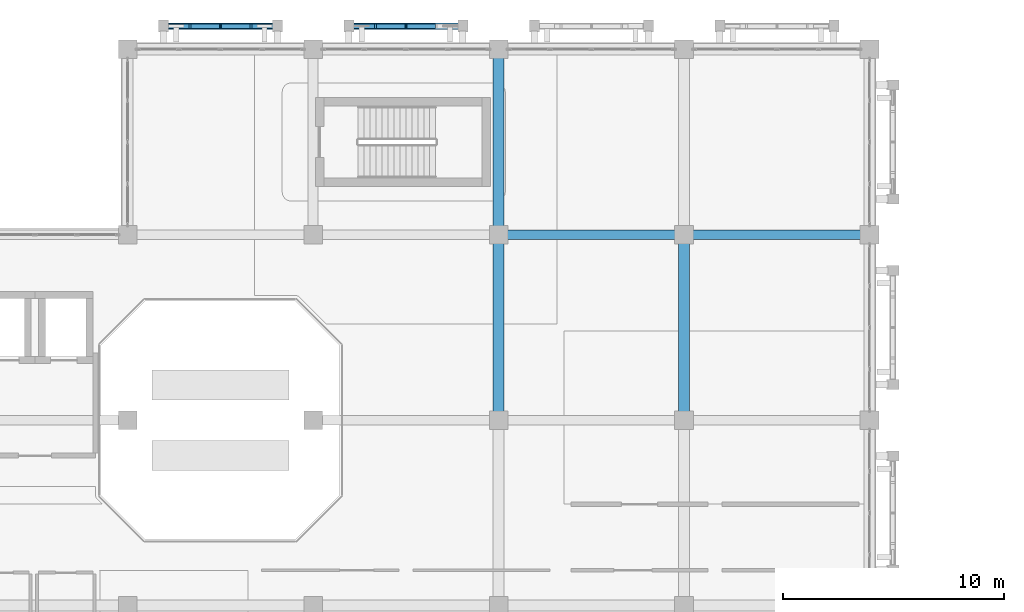
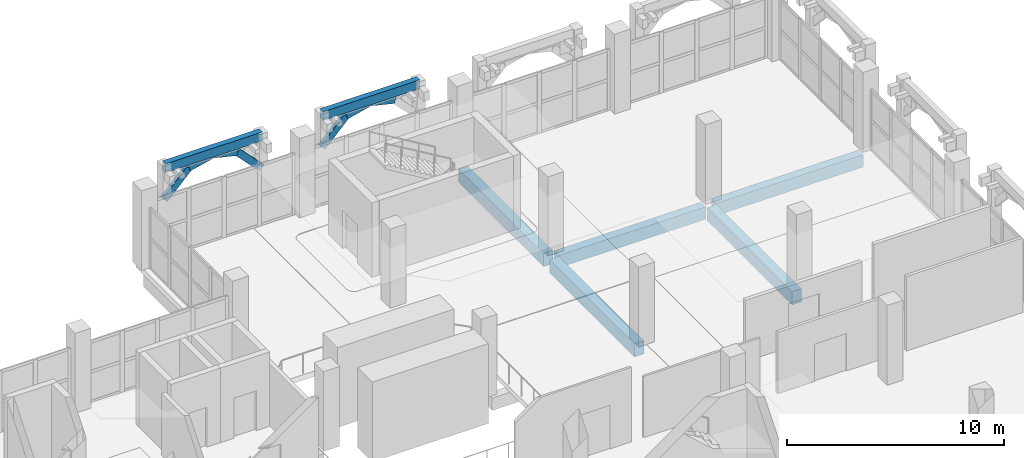
# One storey, part 55 of 129: 7 beams, 7 members.
"""IFC4 building model written with IfcOpenShell, lengths in metres."""

import ifcopenshell
import ifcopenshell.guid

model = None  # the IFC model being written
_history = None  # IfcOwnerHistory: only IFC2X3 demands one
_inside = {}  # id of a spatial element -> (the spatial element, [elements in it])
_under = {}  # id of a project, library or spatial element -> (it, [spatial elements below it])
_declared = {}  # id of a project -> (the project, [libraries it declares])
_typed = {}  # id of a type object -> (the type object, [elements of that type])
_made_of = {}  # id of a material, layer set ... -> (it, [elements and type objects made of it])


def new_model(schema):
    """Start an empty IFC model of exactly this schema.

    Asked for "IFC4X3", IfcOpenShell would pick the latest addendum, in which some entities
    have other attributes; the version numbers below select the first issue.
    IFC2X3 requires an IfcOwnerHistory on every rooted entity: one is made here for all.
    """
    global model, _history
    if schema == "IFC4X3":
        model = ifcopenshell.file(schema_version=(4, 3, 0, 0))
    else:
        model = ifcopenshell.file(schema=schema)
    _inside.clear()
    _under.clear()
    _declared.clear()
    _typed.clear()
    _made_of.clear()
    _history = None
    if model.schema == "IFC2X3":
        org = make("IfcOrganization", Name="unknown")
        user = make(
            "IfcPersonAndOrganization",
            ThePerson=make("IfcPerson", FamilyName="unknown"),
            TheOrganization=org,
        )
        app = make(
            "IfcApplication",
            ApplicationDeveloper=org,
            Version="unknown",
            ApplicationFullName="unknown",
            ApplicationIdentifier="unknown",
        )
        _history = make(
            "IfcOwnerHistory",
            OwningUser=user,
            OwningApplication=app,
            ChangeAction="ADDED",
            CreationDate=0,
        )
    return model


def make(cls, **values):
    """One entity of the class cls with the attributes given. An attribute that is None is left unset."""
    return model.create_entity(
        cls, **{name: value for name, value in values.items() if value is not None}
    )


def rooted(cls, **values):
    """An entity with a GlobalId (a new one), such as an element, a storey or a relation."""
    return make(cls, GlobalId=ifcopenshell.guid.new(), OwnerHistory=_history, **values)


def si_unit(unit_type, name, prefix=None):
    """IfcSIUnit, for example si_unit("LENGTHUNIT", "METRE", prefix="MILLI")."""
    return make("IfcSIUnit", UnitType=unit_type, Prefix=prefix, Name=name)


def assignment(units):
    """IfcUnitAssignment: the units of a project."""
    return None if units is None else make("IfcUnitAssignment", Units=units)


def point(xyz):
    """IfcCartesianPoint."""
    return None if xyz is None else make("IfcCartesianPoint", Coordinates=xyz)


def direction(xyz):
    """IfcDirection."""
    return None if xyz is None else make("IfcDirection", DirectionRatios=xyz)


def frame(location, z_axis=None, x_axis=None):
    """IfcAxis2Placement3D, a coordinate frame: its origin and axes. An axis left out is left unset."""
    return make(
        "IfcAxis2Placement3D",
        Location=point(location),
        Axis=direction(z_axis),
        RefDirection=direction(x_axis),
    )


def frame_2d(location, x_axis=None):
    """IfcAxis2Placement2D, a coordinate frame in the plane: its origin and x axis."""
    return make(
        "IfcAxis2Placement2D", Location=point(location), RefDirection=direction(x_axis)
    )


def origin():
    """The frame at (0, 0, 0) with its axes left unset."""
    return frame((0.0, 0.0, 0.0))


def origin_2d():
    """The frame at (0, 0) in the plane with its x axis left unset."""
    return frame_2d((0.0, 0.0))


def place(relative_to, where):
    """IfcLocalPlacement: puts the frame where relative to a parent placement (None: the world)."""
    return make(
        "IfcLocalPlacement", PlacementRelTo=relative_to, RelativePlacement=where
    )


def context(
    kind, dimensions, precision=None, world=None, true_north=None, identifier=None
):
    """IfcGeometricRepresentationContext, for example the 3D "Model" context."""
    return make(
        "IfcGeometricRepresentationContext",
        ContextIdentifier=identifier,
        ContextType=kind,
        CoordinateSpaceDimension=dimensions,
        Precision=precision,
        WorldCoordinateSystem=world,
        TrueNorth=true_north,
    )


def subcontext(parent, identifier, kind, view, scale=None):
    """IfcGeometricRepresentationSubContext, for example "Body" below "Model"."""
    return make(
        "IfcGeometricRepresentationSubContext",
        ContextIdentifier=identifier,
        ContextType=kind,
        ParentContext=parent,
        TargetScale=scale,
        TargetView=view,
    )


def project(units=None, contexts=None):
    """IfcProject with its units and contexts."""
    return rooted(
        "IfcProject",
        Name="project",
        RepresentationContexts=contexts,
        UnitsInContext=assignment(units),
    )


def spatial(cls, under=None, at=None, **own):
    """A site, building, storey or space (cls), placed at a placement, below another one or the project."""
    s = rooted(cls, ObjectPlacement=at, **own)
    if under is not None:
        _under.setdefault(under.id(), (under, []))[1].append(s)
    return s


def profile(cls, at=None, kind="AREA", **sizes):
    """A parametric profile (cls). Its sizes go by their IFC names, for example OverallWidth=200.0."""
    return make(cls, ProfileType=kind, Position=at, **sizes)


def rectangle(**sizes):
    """IfcRectangleProfileDef."""
    return profile("IfcRectangleProfileDef", **sizes)


def extrude(swept, where, along, depth):
    """IfcExtrudedAreaSolid: the profile swept, set in the frame where, extruded along a direction by depth."""
    return make(
        "IfcExtrudedAreaSolid",
        SweptArea=swept,
        Position=where,
        ExtrudedDirection=direction(along),
        Depth=depth,
    )


def shape(context_of_items, identifier, shape_type, items):
    """IfcShapeRepresentation: the items that make up one representation, for example the "Body"."""
    return make(
        "IfcShapeRepresentation",
        ContextOfItems=context_of_items,
        RepresentationIdentifier=identifier,
        RepresentationType=shape_type,
        Items=items,
    )


def material(Name=None, Category=None):
    """IfcMaterial."""
    return make("IfcMaterial", Name=Name, Category=Category)


def material_profile(
    of_material, cross_section, Name=None, Category=None, Priority=None
):
    """IfcMaterialProfile: a cross section and its material."""
    return make(
        "IfcMaterialProfile",
        Name=Name,
        Material=of_material,
        Profile=cross_section,
        Priority=Priority,
        Category=Category,
    )


def profile_set(profiles, Name=None, composite=None):
    """IfcMaterialProfileSet."""
    return make(
        "IfcMaterialProfileSet",
        Name=Name,
        MaterialProfiles=profiles,
        CompositeProfile=composite,
    )


def made_of(thing, what):
    """Note that an element or type object is made of a material, layer set ...; save() writes the relation."""
    if what is not None:
        _made_of.setdefault(what.id(), (what, []))[1].append(thing)
    return thing


def type_object(cls, material=None, **own):
    """A type object (cls), such as IfcWallType, which elements share."""
    return made_of(rooted(cls, **own), material)


def element(
    cls,
    number,
    at=None,
    inside=None,
    cuts=None,
    type_object=None,
    material=None,
    context=None,
    identifier="Body",
    shape_type=None,
    held_by="IfcProductDefinitionShape",
    body=None,
    shapes=None,
    **own,
):
    """One element of the class cls, such as IfcWall. Its Tag is "e" and its number.

    at: its placement. inside: the storey or other place that contains it. cuts: it is an
    opening in that element (IfcRelVoidsElement). A single representation is given by context,
    identifier, shape_type and body (its items); several are given by shapes. held_by: the class
    of the entity that holds the representations. save() writes the other relations.
    """
    e = rooted(cls, Tag="e%d" % number, ObjectPlacement=at, **own)
    if body is not None:
        shapes = [shape(context, identifier, shape_type, body)]
    if shapes is not None:
        e.Representation = make(held_by, Representations=shapes)
    if inside is not None:
        _inside.setdefault(inside.id(), (inside, []))[1].append(e)
    if cuts is not None:
        rooted(
            "IfcRelVoidsElement", RelatingBuildingElement=cuts, RelatedOpeningElement=e
        )
    if type_object is not None:
        _typed.setdefault(type_object.id(), (type_object, []))[1].append(e)
    return made_of(e, material)


def aggregate(whole, parts):
    """IfcRelAggregates: a whole, such as a stair, and the parts it consists of."""
    return rooted("IfcRelAggregates", RelatingObject=whole, RelatedObjects=parts)


def save(model, path):
    """Write the relations noted so far, then the file.

    IfcRelAggregates (storeys below a building ...), IfcRelContainedInSpatialStructure (elements
    in a storey), IfcRelDefinesByType, IfcRelAssociatesMaterial and IfcRelDeclares: one each for
    every whole, place, type object, material and project.
    """
    for whole, parts in _under.values():
        aggregate(whole, parts)
    for where, things in _inside.values():
        rooted(
            "IfcRelContainedInSpatialStructure",
            RelatedElements=things,
            RelatingStructure=where,
        )
    for kind, things in _typed.values():
        rooted("IfcRelDefinesByType", RelatedObjects=things, RelatingType=kind)
    for what, things in _made_of.values():
        rooted("IfcRelAssociatesMaterial", RelatedObjects=things, RelatingMaterial=what)
    for by, libraries in _declared.values():
        rooted("IfcRelDeclares", RelatingContext=by, RelatedDefinitions=libraries)
    model.write(path)


model = new_model("IFC4")

# Units and contexts
model_context = context("Model", 3, precision=1e-05, world=origin(), true_north=direction((0.0, 1.0)))
body_context = subcontext(model_context, "Body", "Model", "MODEL_VIEW")
ifc_project = project(units=[si_unit("LENGTHUNIT", "METRE"), si_unit("AREAUNIT", "SQUARE_METRE"), si_unit("VOLUMEUNIT", "CUBIC_METRE"), si_unit("PLANEANGLEUNIT", "RADIAN"), si_unit("MASSUNIT", "GRAM", prefix="KILO")], contexts=[model_context])

# Site, building, storey
site_placement = place(None, origin())
site = spatial("IfcSite", under=ifc_project, at=site_placement, CompositionType="ELEMENT")
building_placement = place(site_placement, origin())
building = spatial("IfcBuilding", under=site, at=building_placement, Name="Xazarin Passage Department Store", CompositionType="ELEMENT")
storey_placement = place(building_placement, frame((0.0, 0.0, 9.89990234375)))
storey = spatial("IfcBuildingStorey", under=building, at=storey_placement, Name="L02", CompositionType="ELEMENT", Elevation=9.89990234375)

# Beams
ifc_material_1 = material(Name="Concrete C35/45", Category="concrete")
ifc_material_profile_1 = material_profile(ifc_material_1, rectangle(XDim=0.449951171875, YDim=0.699951171875, at=origin_2d()), Name="RC 450x700")
ifc_profile_set_1 = profile_set([ifc_material_profile_1], Name="Concrete C35/45")
beam_type_1 = type_object("IfcBeamType", Name="STR-BM-G450x700", PredefinedType="BEAM", material=ifc_profile_set_1)
for number, where, z_axis, x_axis, name in (
    (1, (33.8798828125, 101.60009765625, -0.64990234375), (1.0, 0.0, 0.0), (0.0, 1.0, 0.0), "L02 Grid Beam P/5-6"),
    (2, (42.280029296875, 101.60009765625, -0.64990234375), (1.0, 0.0, 0.0), (0.0, 1.0, 0.0), "L02 Grid Beam P/6-7"),
):
    element("IfcBeam", number, at=place(storey_placement, frame(where, z_axis=z_axis, x_axis=x_axis)), inside=storey, type_object=beam_type_1, Name=name, PredefinedType="BEAM", context=body_context, shape_type="SweptSolid", body=[
        extrude(rectangle(XDim=0.449951171875, YDim=0.699951171875, at=origin_2d()), origin(), (0.0, 0.0, 1.0), 7.840087890625),
    ])
ifc_material_profile_2 = material_profile(ifc_material_1, rectangle(XDim=0.300048828125, YDim=0.5, at=origin_2d()), Name="RC 300x500")
ifc_profile_set_2 = profile_set([ifc_material_profile_2], Name="Concrete C35/45")
beam_type_2 = type_object("IfcBeamType", Name="STR-BM-LN300x500", PredefinedType="LINTEL", material=ifc_profile_set_2)
beam_1_placement = place(storey_placement, frame((18.419921875, 111.050048828125, 4.25), z_axis=(1.0, 0.0, 0.0), x_axis=(0.0, 1.0, 0.0)))
element("IfcBeam", 3, at=beam_1_placement, inside=storey, type_object=beam_type_2, Name="L02 V1 Colonnade Spandrel Beam 001", PredefinedType="LINTEL", context=body_context, shape_type="SweptSolid", body=[
    extrude(rectangle(XDim=0.300048828125, YDim=0.5, at=origin_2d()), origin(), (0.0, 0.0, 1.0), 5.16015625),
])
beam_2_placement = place(storey_placement, frame((26.820068359375, 111.050048828125, 4.25), z_axis=(1.0, 0.0, 0.0), x_axis=(0.0, 1.0, 0.0)))
element("IfcBeam", 4, at=beam_2_placement, inside=storey, type_object=beam_type_2, Name="L02 V1 Colonnade Spandrel Beam 002", PredefinedType="LINTEL", context=body_context, shape_type="SweptSolid", body=[
    extrude(rectangle(XDim=0.300048828125, YDim=0.5, at=origin_2d()), origin(), (0.0, 0.0, 1.0), 5.159912109375),
])
ifc_material_profile_3 = material_profile(ifc_material_1, rectangle(XDim=0.5, YDim=0.75, at=origin_2d()), Name="RC 500x750")
ifc_profile_set_3 = profile_set([ifc_material_profile_3], Name="Concrete C35/45")
beam_type_3 = type_object("IfcBeamType", Name="STR-BM-SP500x750", PredefinedType="SPANDREL", material=ifc_profile_set_3)
for number, where, z_axis, x_axis, name in (
    (5, (33.60009765625, 93.47998046875, -0.6748046875), (0.0, 1.0, 0.0), (-1.0, 0.0, 0.0), "L02 Grid Beam 5/N-P"),
    (6, (33.60009765625, 101.8798828125, -0.6748046875), (0.0, 1.0, 0.0), (-1.0, 0.0, 0.0), "L02 Grid Beam 5/P-Q"),
    (7, (42.0, 93.47998046875, -0.6748046875), (0.0, 1.0, 0.0), (-1.0, 0.0, 0.0), "L02 Grid Beam 6/N-P"),
):
    element("IfcBeam", number, at=place(storey_placement, frame(where, z_axis=z_axis, x_axis=x_axis)), inside=storey, type_object=beam_type_3, Name=name, PredefinedType="SPANDREL", context=body_context, shape_type="SweptSolid", body=[
        extrude(rectangle(XDim=0.5, YDim=0.75, at=origin_2d()), origin(), (0.0, 0.0, 1.0), 7.840087890625),
    ])

# Members
ifc_material_2 = material(Name="Concrete C40/50", Category="concrete")
ifc_material_profile_4 = material_profile(ifc_material_2, rectangle(XDim=0.199951171875, YDim=0.360107421875, at=origin_2d()), Name="RC 200x360")
ifc_profile_set_4 = profile_set([ifc_material_profile_4], Name="Concrete C40/50")
member_type = type_object("IfcMemberType", Name="STR-MEM-ARC360", PredefinedType="CHORD", material=ifc_profile_set_4)
member_1_placement = place(storey_placement, frame((18.419921875, 111.050048828125, 2.43017578125), z_axis=(0.693460080602, 0.0, 0.720495049679), x_axis=(0.0, 1.0, 0.0)))
element("IfcMember", 8, at=member_1_placement, inside=storey, type_object=member_type, Name="L02 V1 Pierced Lattice Curved Arch 001.1", PredefinedType="CHORD", context=body_context, shape_type="SweptSolid", body=[
    extrude(rectangle(XDim=0.199951171875, YDim=0.360107421875, at=origin_2d()), origin(), (0.0, 0.0, 1.0), 1.8603515625),
])
for number, where, z_axis, x_axis, name in (
    (9, (19.7099609375, 111.050048828125, 3.7705078125), (0.972393983317, 0.0, 0.233345111818), (0.0, 1.0, 0.0), "L02 V1 Pierced Lattice Curved Arch 001.2"),
    (10, (21.0, 111.050048828125, 4.080078125), (0.972393983317, 0.0, -0.233345111818), (0.0, 1.0, 0.0), "L02 V1 Pierced Lattice Curved Arch 001.3"),
):
    element("IfcMember", number, at=place(storey_placement, frame(where, z_axis=z_axis, x_axis=x_axis)), inside=storey, type_object=member_type, Name=name, PredefinedType="CHORD", context=body_context, shape_type="SweptSolid", body=[
        extrude(rectangle(XDim=0.199951171875, YDim=0.360107421875, at=origin_2d()), origin(), (0.0, 0.0, 1.0), 1.32666015625),
    ])
for number, where, z_axis, x_axis, name in (
    (11, (22.2900390625, 111.050048828125, 3.7705078125), (0.693460080602, 0.0, -0.720495049679), (0.0, 1.0, 0.0), "L02 V1 Pierced Lattice Curved Arch 001.4"),
    (12, (26.820068359375, 111.050048828125, 2.43017578125), (0.693460080602, 0.0, 0.720495049679), (0.0, 1.0, 0.0), "L02 V1 Pierced Lattice Curved Arch 002.1"),
):
    element("IfcMember", number, at=place(storey_placement, frame(where, z_axis=z_axis, x_axis=x_axis)), inside=storey, type_object=member_type, Name=name, PredefinedType="CHORD", context=body_context, shape_type="SweptSolid", body=[
        extrude(rectangle(XDim=0.199951171875, YDim=0.360107421875, at=origin_2d()), origin(), (0.0, 0.0, 1.0), 1.8603515625),
    ])
member_2_placement = place(storey_placement, frame((28.110107421875, 111.050048828125, 3.7705078125), z_axis=(0.972383960415, 0.0, 0.233386875224), x_axis=(0.0, 1.0, 0.0)))
element("IfcMember", 13, at=member_2_placement, inside=storey, type_object=member_type, Name="L02 V1 Pierced Lattice Curved Arch 002.2", PredefinedType="CHORD", context=body_context, shape_type="SweptSolid", body=[
    extrude(rectangle(XDim=0.199951171875, YDim=0.360107421875, at=origin_2d()), origin(), (0.0, 0.0, 1.0), 1.326416015625),
])
member_3_placement = place(storey_placement, frame((29.39990234375, 111.050048828125, 4.080078125), z_axis=(0.972393983317, 0.0, -0.233345111818), x_axis=(0.0, 1.0, 0.0)))
element("IfcMember", 14, at=member_3_placement, inside=storey, type_object=member_type, Name="L02 V1 Pierced Lattice Curved Arch 002.3", PredefinedType="CHORD", context=body_context, shape_type="SweptSolid", body=[
    extrude(rectangle(XDim=0.199951171875, YDim=0.360107421875, at=origin_2d()), origin(), (0.0, 0.0, 1.0), 1.32666015625),
])

save(model, "model.ifc")
